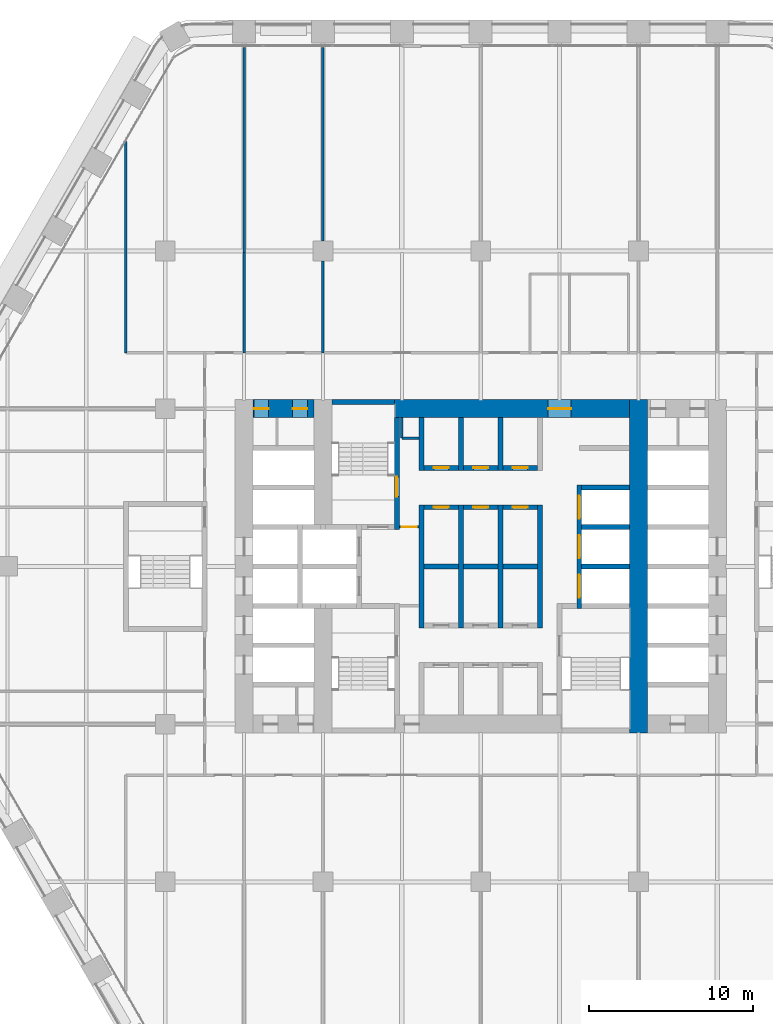
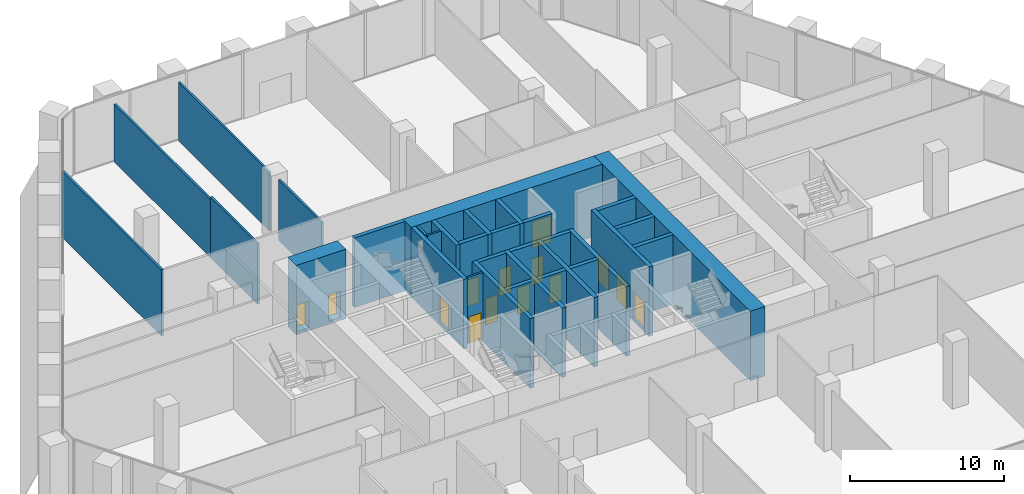
# One storey, part 20 of 27: 33 walls, 14 doors, 14 openings.
"""IFC4 building model written with IfcOpenShell, lengths in metres."""

from ifc_helpers import new_model, si_unit, direction, frame, frame_2d, origin, place, context, subcontext, project, spatial, rectangle, extrude, material, layer, layer_set, type_object, element, fill, save


model = new_model("IFC4")

# Units and contexts
model_context = context("Model", 3, precision=1e-05, world=origin(), true_north=direction((0.0, 1.0)))
body_context = subcontext(model_context, "Body", "Model", "MODEL_VIEW")
ifc_project = project(units=[si_unit("LENGTHUNIT", "METRE"), si_unit("AREAUNIT", "SQUARE_METRE"), si_unit("VOLUMEUNIT", "CUBIC_METRE"), si_unit("PLANEANGLEUNIT", "RADIAN"), si_unit("MASSUNIT", "GRAM", prefix="KILO")], contexts=[model_context])

# Site, building, storey
site_placement = place(None, origin())
site = spatial("IfcSite", under=ifc_project, at=site_placement, CompositionType="ELEMENT")
building_placement = place(site_placement, origin())
building = spatial("IfcBuilding", under=site, at=building_placement, Name="Kolab Exchange Tower", CompositionType="ELEMENT")
storey_placement = place(building_placement, frame((0.0, 0.0, 27.89990234375)))
storey = spatial("IfcBuildingStorey", under=building, at=storey_placement, Name="L05", CompositionType="ELEMENT", Elevation=27.89990234375)

# Wall, openings, doors
ifc_material_1 = material(Name="Concrete C80/95", Category="concrete")
ifc_layer_1 = layer(ifc_material_1, 1.10009765625)
ifc_layer_set_1 = layer_set([ifc_layer_1], Name="Concrete C80/95")
wall_type_1 = type_object("IfcWallType", Name="CORE WALL 1100 C80/95", PredefinedType="SHEAR", material=ifc_layer_set_1)
wall_1_placement = place(storey_placement, frame((-13.85009765625, 9.60009765625, -0.25), z_axis=(0.0, 0.0, 1.0), x_axis=(1.0, 0.0, 0.0)))
wall_1 = element("IfcWall", 1, at=wall_1_placement, inside=storey, type_object=wall_type_1, Name="wall/L05/core/051", PredefinedType="SHEAR", context=body_context, shape_type="SweptSolid", body=[
    extrude(rectangle(XDim=3.7001953125, YDim=1.10009765625, at=frame_2d((1.85009765625, 0.0))), origin(), (0.0, 0.0, 1.0), 5.5),
])
opening_1_placement = place(wall_1_placement, frame((0.050048828125, 0.0, 0.25)))
opening_1 = element("IfcOpeningElement", 2, at=opening_1_placement, cuts=wall_1, Name="Opening D6-098", PredefinedType="OPENING", context=body_context, shape_type="SweptSolid", body=[
    extrude(rectangle(XDim=0.89990234375, YDim=2.10009765625, at=frame_2d((0.449951171875, 1.050048828125))), frame((0.0, 0.56005859375, 0.0), z_axis=(0.0, -1.0, 0.0), x_axis=(1.0, 0.0, 0.0)), (0.0, 0.0, 1.0), 1.1201171875),
])
opening_2_placement = place(wall_1_placement, frame((2.39990234375, 0.0, 0.25)))
opening_2 = element("IfcOpeningElement", 3, at=opening_2_placement, cuts=wall_1, Name="Opening D6-099", PredefinedType="OPENING", context=body_context, shape_type="SweptSolid", body=[
    extrude(rectangle(XDim=0.89990234375, YDim=2.10009765625, at=frame_2d((0.449951171875, 1.050048828125))), frame((0.0, 0.56005859375, 0.0), z_axis=(0.0, -1.0, 0.0), x_axis=(1.0, 0.0, 0.0)), (0.0, 0.0, 1.0), 1.1201171875),
])
ifc_material_2 = material(Name="Steel S235", Category="steel")
door_type_1 = type_object("IfcDoorType", Name="CORE DOOR 900 EI 120", OperationType="SINGLE_SWING_LEFT", PredefinedType="DOOR", material=ifc_material_2)
door_1_placement = place(opening_1_placement, frame((0.89990234375, 0.0, 0.0), z_axis=(0.0, 0.0, 1.0), x_axis=(-1.0, 0.0, 0.0)))
door_1 = element("IfcDoor", 4, at=door_1_placement, inside=storey, type_object=door_type_1, Name="Service room door", OperationType="SINGLE_SWING_RIGHT", OverallHeight=2.10009765625, OverallWidth=0.89990234375, PredefinedType="DOOR", context=body_context, shape_type="SweptSolid", body=[
    extrude(rectangle(XDim=0.89990234375, YDim=2.10009765625, at=frame_2d((0.449951171875, 1.050048828125))), frame((0.0, 0.02490234375, 0.0), z_axis=(0.0, -1.0, 0.0), x_axis=(1.0, 0.0, 0.0)), (0.0, 0.0, 1.0), 0.050048828125),
])
fill(opening_1, door_1)
door_2_placement = place(opening_2_placement, frame((0.89990234375, 0.0, 0.0), z_axis=(0.0, 0.0, 1.0), x_axis=(-1.0, 0.0, 0.0)))
door_2 = element("IfcDoor", 5, at=door_2_placement, inside=storey, type_object=door_type_1, Name="Service room door", OperationType="SINGLE_SWING_LEFT", OverallHeight=2.10009765625, OverallWidth=0.89990234375, PredefinedType="DOOR", context=body_context, shape_type="SweptSolid", body=[
    extrude(rectangle(XDim=0.89990234375, YDim=2.10009765625, at=frame_2d((0.449951171875, 1.050048828125))), frame((0.0, 0.02490234375, 0.0), z_axis=(0.0, -1.0, 0.0), x_axis=(1.0, 0.0, 0.0)), (0.0, 0.0, 1.0), 0.050048828125),
])
fill(opening_2, door_2)

# Wall, opening, door
wall_2_placement = place(storey_placement, frame((-5.25, 9.60009765625, -0.25), z_axis=(0.0, 0.0, 1.0), x_axis=(1.0, 0.0, 0.0)))
wall_2 = element("IfcWall", 6, at=wall_2_placement, inside=storey, type_object=wall_type_1, Name="wall/L05/core/052", PredefinedType="SHEAR", context=body_context, shape_type="SweptSolid", body=[
    extrude(rectangle(XDim=14.300048828125, YDim=1.10009765625, at=frame_2d((7.14990234375, 0.0))), origin(), (0.0, 0.0, 1.0), 5.5),
])
opening_3_placement = place(wall_2_placement, frame((9.35009765625, 0.0, 0.25)))
opening_3 = element("IfcOpeningElement", 7, at=opening_3_placement, cuts=wall_2, Name="Opening D5-005", PredefinedType="OPENING", context=body_context, shape_type="SweptSolid", body=[
    extrude(rectangle(XDim=1.39990234375, YDim=2.10009765625, at=frame_2d((0.699951171875, 1.050048828125))), frame((0.0, 0.56005859375, 0.0), z_axis=(0.0, -1.0, 0.0), x_axis=(1.0, 0.0, 0.0)), (0.0, 0.0, 1.0), 1.1201171875),
])
door_type_2 = type_object("IfcDoorType", Name="CORE DOOR 1400 EI 120", OperationType="DOUBLE_DOOR_SINGLE_SWING", PredefinedType="DOOR", material=ifc_material_2)
door_3_placement = place(opening_3_placement, frame((1.39990234375, 0.0, 0.0), z_axis=(0.0, 0.0, 1.0), x_axis=(-1.0, 0.0, 0.0)))
door_3 = element("IfcDoor", 8, at=door_3_placement, inside=storey, type_object=door_type_2, Name="Core lobby door", OperationType="SINGLE_SWING_LEFT", OverallHeight=2.10009765625, OverallWidth=1.39990234375, PredefinedType="DOOR", context=body_context, shape_type="SweptSolid", body=[
    extrude(rectangle(XDim=1.39990234375, YDim=2.10009765625, at=frame_2d((0.699951171875, 1.050048828125))), frame((0.0, 0.02490234375, 0.0), z_axis=(0.0, -1.0, 0.0), x_axis=(1.0, 0.0, 0.0)), (0.0, 0.0, 1.0), 0.050048828125),
])
fill(opening_3, door_3)

# Walls
wall_3_placement = place(storey_placement, frame((9.60009765625, -10.14990234375, -0.25), z_axis=(0.0, 0.0, 1.0), x_axis=(0.0, 1.0, 0.0)))
element("IfcWall", 9, at=wall_3_placement, inside=storey, type_object=wall_type_1, Name="wall/L05/core/080", PredefinedType="SHEAR", context=body_context, shape_type="SweptSolid", body=[
    extrude(rectangle(XDim=20.2998046875, YDim=1.10009765625, at=frame_2d((10.14990234375, 0.0))), origin(), (0.0, 0.0, 1.0), 5.5),
])
ifc_material_3 = material(Name="Concrete C50/60", Category="concrete")
ifc_layer_2 = layer(ifc_material_3, 0.300048828125)
ifc_layer_set_2 = layer_set([ifc_layer_2], Name="Concrete C50/60")
wall_type_2 = type_object("IfcWallType", Name="LIFT SHAFT WALL 300 C50/60", PredefinedType="STANDARD", material=ifc_layer_set_2)
wall_4_placement = place(storey_placement, frame((-3.449951171875, 0.0, -0.25), z_axis=(0.0, 0.0, 1.0), x_axis=(1.0, 0.0, 0.0)))
element("IfcWall", 10, at=wall_4_placement, inside=storey, type_object=wall_type_2, Name="wall/L05/core/026", PredefinedType="STANDARD", context=body_context, shape_type="SweptSolid", body=[
    extrude(rectangle(XDim=2.099853515625, YDim=0.300048828125, at=frame_2d((1.0498046875, 0.0))), origin(), (0.0, 0.0, 1.0), 5.5),
])
wall_5_placement = place(storey_placement, frame((-1.050048828125, 0.0, -0.25), z_axis=(0.0, 0.0, 1.0), x_axis=(1.0, 0.0, 0.0)))
element("IfcWall", 11, at=wall_5_placement, inside=storey, type_object=wall_type_2, Name="wall/L05/core/027", PredefinedType="STANDARD", context=body_context, shape_type="SweptSolid", body=[
    extrude(rectangle(XDim=2.10009765625, YDim=0.300048828125, at=frame_2d((1.050048828125, 0.0))), origin(), (0.0, 0.0, 1.0), 5.5),
])
wall_6_placement = place(storey_placement, frame((1.35009765625, 0.0, -0.25), z_axis=(0.0, 0.0, 1.0), x_axis=(1.0, 0.0, 0.0)))
element("IfcWall", 12, at=wall_6_placement, inside=storey, type_object=wall_type_2, Name="wall/L05/core/028", PredefinedType="STANDARD", context=body_context, shape_type="SweptSolid", body=[
    extrude(rectangle(XDim=2.099853515625, YDim=0.300048828125, at=frame_2d((1.0498046875, 0.0))), origin(), (0.0, 0.0, 1.0), 5.5),
])
for number, where, z_axis, x_axis, name in (
    (13, (6.14990234375, 0.0, -0.25), (0.0, 0.0, 1.0), (1.0, 0.0, 0.0), "wall/L05/core/029"),
    (14, (6.14990234375, 2.39990234375, -0.25), (0.0, 0.0, 1.0), (1.0, 0.0, 0.0), "wall/L05/core/035"),
):
    element("IfcWall", number, at=place(storey_placement, frame(where, z_axis=z_axis, x_axis=x_axis)), inside=storey, type_object=wall_type_2, Name=name, PredefinedType="STANDARD", context=body_context, shape_type="SweptSolid", body=[
        extrude(rectangle(XDim=2.900146484375, YDim=0.300048828125, at=frame_2d((1.4501953125, 0.0))), origin(), (0.0, 0.0, 1.0), 5.5),
    ])

# Wall, opening, door
wall_7_placement = place(storey_placement, frame((-3.449951171875, 3.60009765625, -0.25), z_axis=(0.0, 0.0, 1.0), x_axis=(1.0, 0.0, 0.0)))
wall_7 = element("IfcWall", 15, at=wall_7_placement, inside=storey, type_object=wall_type_2, Name="wall/L05/core/037", PredefinedType="STANDARD", context=body_context, shape_type="SweptSolid", body=[
    extrude(rectangle(XDim=2.099853515625, YDim=0.300048828125, at=frame_2d((1.0498046875, 0.0))), origin(), (0.0, 0.0, 1.0), 5.5),
])
opening_4_placement = place(wall_7_placement, frame((0.60009765625, 0.0, 0.25)))
opening_4 = element("IfcOpeningElement", 16, at=opening_4_placement, cuts=wall_7, Name="Opening D6-089", PredefinedType="OPENING", context=body_context, shape_type="SweptSolid", body=[
    extrude(rectangle(XDim=0.89990234375, YDim=2.10009765625, at=frame_2d((0.449951171875, 1.050048828125))), frame((0.0, 0.16015625, 0.0), z_axis=(0.0, -1.0, 0.0), x_axis=(1.0, 0.0, 0.0)), (0.0, 0.0, 1.0), 0.320068359375),
])
door_4_placement = place(opening_4_placement, frame((0.89990234375, 0.0, 0.0), z_axis=(0.0, 0.0, 1.0), x_axis=(-1.0, 0.0, 0.0)))
door_4 = element("IfcDoor", 17, at=door_4_placement, inside=storey, type_object=door_type_1, Name="Service room door", OperationType="SINGLE_SWING_LEFT", OverallHeight=2.10009765625, OverallWidth=0.89990234375, PredefinedType="DOOR", context=body_context, shape_type="SweptSolid", body=[
    extrude(rectangle(XDim=0.89990234375, YDim=2.10009765625, at=frame_2d((0.449951171875, 1.050048828125))), frame((0.0, 0.02490234375, 0.0), z_axis=(0.0, -1.0, 0.0), x_axis=(1.0, 0.0, 0.0)), (0.0, 0.0, 1.0), 0.050048828125),
])
fill(opening_4, door_4)

wall_8_placement = place(storey_placement, frame((-1.050048828125, 3.60009765625, -0.25), z_axis=(0.0, 0.0, 1.0), x_axis=(1.0, 0.0, 0.0)))
wall_8 = element("IfcWall", 18, at=wall_8_placement, inside=storey, type_object=wall_type_2, Name="wall/L05/core/038", PredefinedType="STANDARD", context=body_context, shape_type="SweptSolid", body=[
    extrude(rectangle(XDim=2.10009765625, YDim=0.300048828125, at=frame_2d((1.050048828125, 0.0))), origin(), (0.0, 0.0, 1.0), 5.5),
])
opening_5_placement = place(wall_8_placement, frame((0.60009765625, 0.0, 0.25)))
opening_5 = element("IfcOpeningElement", 19, at=opening_5_placement, cuts=wall_8, Name="Opening D6-088", PredefinedType="OPENING", context=body_context, shape_type="SweptSolid", body=[
    extrude(rectangle(XDim=0.89990234375, YDim=2.10009765625, at=frame_2d((0.449951171875, 1.050048828125))), frame((0.0, 0.16015625, 0.0), z_axis=(0.0, -1.0, 0.0), x_axis=(1.0, 0.0, 0.0)), (0.0, 0.0, 1.0), 0.320068359375),
])
door_5_placement = place(opening_5_placement, frame((0.89990234375, 0.0, 0.0), z_axis=(0.0, 0.0, 1.0), x_axis=(-1.0, 0.0, 0.0)))
door_5 = element("IfcDoor", 20, at=door_5_placement, inside=storey, type_object=door_type_1, Name="Service room door", OperationType="SINGLE_SWING_LEFT", OverallHeight=2.10009765625, OverallWidth=0.89990234375, PredefinedType="DOOR", context=body_context, shape_type="SweptSolid", body=[
    extrude(rectangle(XDim=0.89990234375, YDim=2.10009765625, at=frame_2d((0.449951171875, 1.050048828125))), frame((0.0, 0.02490234375, 0.0), z_axis=(0.0, -1.0, 0.0), x_axis=(1.0, 0.0, 0.0)), (0.0, 0.0, 1.0), 0.050048828125),
])
fill(opening_5, door_5)

wall_9_placement = place(storey_placement, frame((1.35009765625, 3.60009765625, -0.25), z_axis=(0.0, 0.0, 1.0), x_axis=(1.0, 0.0, 0.0)))
wall_9 = element("IfcWall", 21, at=wall_9_placement, inside=storey, type_object=wall_type_2, Name="wall/L05/core/039", PredefinedType="STANDARD", context=body_context, shape_type="SweptSolid", body=[
    extrude(rectangle(XDim=2.099853515625, YDim=0.300048828125, at=frame_2d((1.0498046875, 0.0))), origin(), (0.0, 0.0, 1.0), 5.5),
])
opening_6_placement = place(wall_9_placement, frame((0.60009765625, 0.0, 0.25)))
opening_6 = element("IfcOpeningElement", 22, at=opening_6_placement, cuts=wall_9, Name="Opening D6-087", PredefinedType="OPENING", context=body_context, shape_type="SweptSolid", body=[
    extrude(rectangle(XDim=0.89990234375, YDim=2.10009765625, at=frame_2d((0.449951171875, 1.050048828125))), frame((0.0, 0.16015625, 0.0), z_axis=(0.0, -1.0, 0.0), x_axis=(1.0, 0.0, 0.0)), (0.0, 0.0, 1.0), 0.320068359375),
])
door_6_placement = place(opening_6_placement, frame((0.89990234375, 0.0, 0.0), z_axis=(0.0, 0.0, 1.0), x_axis=(-1.0, 0.0, 0.0)))
door_6 = element("IfcDoor", 23, at=door_6_placement, inside=storey, type_object=door_type_1, Name="Service room door", OperationType="SINGLE_SWING_RIGHT", OverallHeight=2.10009765625, OverallWidth=0.89990234375, PredefinedType="DOOR", context=body_context, shape_type="SweptSolid", body=[
    extrude(rectangle(XDim=0.89990234375, YDim=2.10009765625, at=frame_2d((0.449951171875, 1.050048828125))), frame((0.0, 0.02490234375, 0.0), z_axis=(0.0, -1.0, 0.0), x_axis=(1.0, 0.0, 0.0)), (0.0, 0.0, 1.0), 0.050048828125),
])
fill(opening_6, door_6)

# Wall
wall_10_placement = place(storey_placement, frame((6.14990234375, 4.800048828125, -0.25), z_axis=(0.0, 0.0, 1.0), x_axis=(1.0, 0.0, 0.0)))
element("IfcWall", 24, at=wall_10_placement, inside=storey, type_object=wall_type_2, Name="wall/L05/core/043", PredefinedType="STANDARD", context=body_context, shape_type="SweptSolid", body=[
    extrude(rectangle(XDim=2.900146484375, YDim=0.300048828125, at=frame_2d((1.4501953125, 0.0))), origin(), (0.0, 0.0, 1.0), 5.5),
])

# Wall, opening, door
wall_11_placement = place(storey_placement, frame((-3.449951171875, 6.0, -0.25), z_axis=(0.0, 0.0, 1.0), x_axis=(1.0, 0.0, 0.0)))
wall_11 = element("IfcWall", 25, at=wall_11_placement, inside=storey, type_object=wall_type_2, Name="wall/L05/core/045", PredefinedType="STANDARD", context=body_context, shape_type="SweptSolid", body=[
    extrude(rectangle(XDim=2.099853515625, YDim=0.300048828125, at=frame_2d((1.0498046875, 0.0))), origin(), (0.0, 0.0, 1.0), 5.5),
])
opening_7_placement = place(wall_11_placement, frame((0.60009765625, 0.0, 0.25)))
opening_7 = element("IfcOpeningElement", 26, at=opening_7_placement, cuts=wall_11, Name="Opening D6-086", PredefinedType="OPENING", context=body_context, shape_type="SweptSolid", body=[
    extrude(rectangle(XDim=0.89990234375, YDim=2.10009765625, at=frame_2d((0.449951171875, 1.050048828125))), frame((0.0, 0.16015625, 0.0), z_axis=(0.0, -1.0, 0.0), x_axis=(1.0, 0.0, 0.0)), (0.0, 0.0, 1.0), 0.320068359375),
])
door_7_placement = place(opening_7_placement, origin())
door_7 = element("IfcDoor", 27, at=door_7_placement, inside=storey, type_object=door_type_1, Name="Service room door", OperationType="SINGLE_SWING_LEFT", OverallHeight=2.10009765625, OverallWidth=0.89990234375, PredefinedType="DOOR", context=body_context, shape_type="SweptSolid", body=[
    extrude(rectangle(XDim=0.89990234375, YDim=2.10009765625, at=frame_2d((0.449951171875, 1.050048828125))), frame((0.0, 0.02490234375, 0.0), z_axis=(0.0, -1.0, 0.0), x_axis=(1.0, 0.0, 0.0)), (0.0, 0.0, 1.0), 0.050048828125),
])
fill(opening_7, door_7)

wall_12_placement = place(storey_placement, frame((-1.050048828125, 6.0, -0.25), z_axis=(0.0, 0.0, 1.0), x_axis=(1.0, 0.0, 0.0)))
wall_12 = element("IfcWall", 28, at=wall_12_placement, inside=storey, type_object=wall_type_2, Name="wall/L05/core/046", PredefinedType="STANDARD", context=body_context, shape_type="SweptSolid", body=[
    extrude(rectangle(XDim=2.10009765625, YDim=0.300048828125, at=frame_2d((1.050048828125, 0.0))), origin(), (0.0, 0.0, 1.0), 5.5),
])
opening_8_placement = place(wall_12_placement, frame((0.60009765625, 0.0, 0.25)))
opening_8 = element("IfcOpeningElement", 29, at=opening_8_placement, cuts=wall_12, Name="Opening D6-085", PredefinedType="OPENING", context=body_context, shape_type="SweptSolid", body=[
    extrude(rectangle(XDim=0.89990234375, YDim=2.10009765625, at=frame_2d((0.449951171875, 1.050048828125))), frame((0.0, 0.16015625, 0.0), z_axis=(0.0, -1.0, 0.0), x_axis=(1.0, 0.0, 0.0)), (0.0, 0.0, 1.0), 0.320068359375),
])
door_8_placement = place(opening_8_placement, origin())
door_8 = element("IfcDoor", 30, at=door_8_placement, inside=storey, type_object=door_type_1, Name="Service room door", OperationType="SINGLE_SWING_RIGHT", OverallHeight=2.10009765625, OverallWidth=0.89990234375, PredefinedType="DOOR", context=body_context, shape_type="SweptSolid", body=[
    extrude(rectangle(XDim=0.89990234375, YDim=2.10009765625, at=frame_2d((0.449951171875, 1.050048828125))), frame((0.0, 0.02490234375, 0.0), z_axis=(0.0, -1.0, 0.0), x_axis=(1.0, 0.0, 0.0)), (0.0, 0.0, 1.0), 0.050048828125),
])
fill(opening_8, door_8)

wall_13_placement = place(storey_placement, frame((1.35009765625, 6.0, -0.25), z_axis=(0.0, 0.0, 1.0), x_axis=(1.0, 0.0, 0.0)))
wall_13 = element("IfcWall", 31, at=wall_13_placement, inside=storey, type_object=wall_type_2, Name="wall/L05/core/047", PredefinedType="STANDARD", context=body_context, shape_type="SweptSolid", body=[
    extrude(rectangle(XDim=2.099853515625, YDim=0.300048828125, at=frame_2d((1.0498046875, 0.0))), origin(), (0.0, 0.0, 1.0), 5.5),
])
opening_9_placement = place(wall_13_placement, frame((0.60009765625, 0.0, 0.25)))
opening_9 = element("IfcOpeningElement", 32, at=opening_9_placement, cuts=wall_13, Name="Opening D6-084", PredefinedType="OPENING", context=body_context, shape_type="SweptSolid", body=[
    extrude(rectangle(XDim=0.89990234375, YDim=2.10009765625, at=frame_2d((0.449951171875, 1.050048828125))), frame((0.0, 0.16015625, 0.0), z_axis=(0.0, -1.0, 0.0), x_axis=(1.0, 0.0, 0.0)), (0.0, 0.0, 1.0), 0.320068359375),
])
door_9_placement = place(opening_9_placement, origin())
door_9 = element("IfcDoor", 33, at=door_9_placement, inside=storey, type_object=door_type_1, Name="Service room door", OperationType="SINGLE_SWING_RIGHT", OverallHeight=2.10009765625, OverallWidth=0.89990234375, PredefinedType="DOOR", context=body_context, shape_type="SweptSolid", body=[
    extrude(rectangle(XDim=0.89990234375, YDim=2.10009765625, at=frame_2d((0.449951171875, 1.050048828125))), frame((0.0, 0.02490234375, 0.0), z_axis=(0.0, -1.0, 0.0), x_axis=(1.0, 0.0, 0.0)), (0.0, 0.0, 1.0), 0.050048828125),
])
fill(opening_9, door_9)

# Walls
wall_14_placement = place(storey_placement, frame((-3.60009765625, -3.75, -0.25), z_axis=(0.0, 0.0, 1.0), x_axis=(0.0, 1.0, 0.0)))
element("IfcWall", 34, at=wall_14_placement, inside=storey, type_object=wall_type_2, Name="wall/L05/core/067", PredefinedType="STANDARD", context=body_context, shape_type="SweptSolid", body=[
    extrude(rectangle(XDim=7.5, YDim=0.300048828125, at=frame_2d((3.75, 0.0))), origin(), (0.0, 0.0, 1.0), 5.5),
])
wall_15_placement = place(storey_placement, frame((-3.60009765625, 5.85009765625, -0.25), z_axis=(0.0, 0.0, 1.0), x_axis=(0.0, 1.0, 0.0)))
element("IfcWall", 35, at=wall_15_placement, inside=storey, type_object=wall_type_2, Name="wall/L05/core/068", PredefinedType="STANDARD", context=body_context, shape_type="SweptSolid", body=[
    extrude(rectangle(XDim=3.199951171875, YDim=0.300048828125, at=frame_2d((1.60009765625, 0.0))), origin(), (0.0, 0.0, 1.0), 5.5),
])
wall_16_placement = place(storey_placement, frame((-1.199951171875, -3.75, -0.25), z_axis=(0.0, 0.0, 1.0), x_axis=(0.0, 1.0, 0.0)))
element("IfcWall", 36, at=wall_16_placement, inside=storey, type_object=wall_type_2, Name="wall/L05/core/070", PredefinedType="STANDARD", context=body_context, shape_type="SweptSolid", body=[
    extrude(rectangle(XDim=7.5, YDim=0.300048828125, at=frame_2d((3.75, 0.0))), origin(), (0.0, 0.0, 1.0), 5.5),
])
wall_17_placement = place(storey_placement, frame((-1.199951171875, 5.85009765625, -0.25), z_axis=(0.0, 0.0, 1.0), x_axis=(0.0, 1.0, 0.0)))
element("IfcWall", 37, at=wall_17_placement, inside=storey, type_object=wall_type_2, Name="wall/L05/core/071", PredefinedType="STANDARD", context=body_context, shape_type="SweptSolid", body=[
    extrude(rectangle(XDim=3.199951171875, YDim=0.300048828125, at=frame_2d((1.60009765625, 0.0))), origin(), (0.0, 0.0, 1.0), 5.5),
])
wall_18_placement = place(storey_placement, frame((1.199951171875, -3.75, -0.25), z_axis=(0.0, 0.0, 1.0), x_axis=(0.0, 1.0, 0.0)))
element("IfcWall", 38, at=wall_18_placement, inside=storey, type_object=wall_type_2, Name="wall/L05/core/073", PredefinedType="STANDARD", context=body_context, shape_type="SweptSolid", body=[
    extrude(rectangle(XDim=7.5, YDim=0.300048828125, at=frame_2d((3.75, 0.0))), origin(), (0.0, 0.0, 1.0), 5.5),
])
wall_19_placement = place(storey_placement, frame((1.199951171875, 5.85009765625, -0.25), z_axis=(0.0, 0.0, 1.0), x_axis=(0.0, 1.0, 0.0)))
element("IfcWall", 39, at=wall_19_placement, inside=storey, type_object=wall_type_2, Name="wall/L05/core/074", PredefinedType="STANDARD", context=body_context, shape_type="SweptSolid", body=[
    extrude(rectangle(XDim=3.199951171875, YDim=0.300048828125, at=frame_2d((1.60009765625, 0.0))), origin(), (0.0, 0.0, 1.0), 5.5),
])
wall_20_placement = place(storey_placement, frame((3.60009765625, -3.75, -0.25), z_axis=(0.0, 0.0, 1.0), x_axis=(0.0, 1.0, 0.0)))
element("IfcWall", 40, at=wall_20_placement, inside=storey, type_object=wall_type_2, Name="wall/L05/core/076", PredefinedType="STANDARD", context=body_context, shape_type="SweptSolid", body=[
    extrude(rectangle(XDim=7.5, YDim=0.300048828125, at=frame_2d((3.75, 0.0))), origin(), (0.0, 0.0, 1.0), 5.5),
])

# Wall, openings, doors
wall_21_placement = place(storey_placement, frame((6.0, -2.550048828125, -0.25), z_axis=(0.0, 0.0, 1.0), x_axis=(0.0, 1.0, 0.0)))
wall_21 = element("IfcWall", 41, at=wall_21_placement, inside=storey, type_object=wall_type_2, Name="wall/L05/core/079", PredefinedType="STANDARD", context=body_context, shape_type="SweptSolid", body=[
    extrude(rectangle(XDim=7.5, YDim=0.300048828125, at=frame_2d((3.75, 0.0))), origin(), (0.0, 0.0, 1.0), 5.5),
])
opening_10_placement = place(wall_21_placement, frame((0.64990234375, 0.0, 0.25)))
opening_10 = element("IfcOpeningElement", 42, at=opening_10_placement, cuts=wall_21, Name="Opening LD3-013", PredefinedType="OPENING", context=body_context, shape_type="SweptSolid", body=[
    extrude(rectangle(XDim=1.39990234375, YDim=2.10009765625, at=frame_2d((0.699951171875, 1.050048828125))), frame((0.0, 0.16015625, 0.0), z_axis=(0.0, -1.0, 0.0), x_axis=(1.0, 0.0, 0.0)), (0.0, 0.0, 1.0), 0.320068359375),
])
opening_11_placement = place(wall_21_placement, frame((3.050048828125, 0.0, 0.25)))
opening_11 = element("IfcOpeningElement", 43, at=opening_11_placement, cuts=wall_21, Name="Opening LD3-014", PredefinedType="OPENING", context=body_context, shape_type="SweptSolid", body=[
    extrude(rectangle(XDim=1.39990234375, YDim=2.10009765625, at=frame_2d((0.699951171875, 1.050048828125))), frame((0.0, 0.16015625, 0.0), z_axis=(0.0, -1.0, 0.0), x_axis=(1.0, 0.0, 0.0)), (0.0, 0.0, 1.0), 0.320068359375),
])
opening_12_placement = place(wall_21_placement, frame((5.449951171875, 0.0, 0.25)))
opening_12 = element("IfcOpeningElement", 44, at=opening_12_placement, cuts=wall_21, Name="Opening LD3-015", PredefinedType="OPENING", context=body_context, shape_type="SweptSolid", body=[
    extrude(rectangle(XDim=1.39990234375, YDim=2.10009765625, at=frame_2d((0.699951171875, 1.050048828125))), frame((0.0, 0.16015625, 0.0), z_axis=(0.0, -1.0, 0.0), x_axis=(1.0, 0.0, 0.0)), (0.0, 0.0, 1.0), 0.320068359375),
])
ifc_material_4 = material(Name="Stainless steel 316", Category="steel")
door_type_3 = type_object("IfcDoorType", Name="LANDING DOOR 1400 SERVICE", OperationType="DOUBLE_DOOR_SLIDING", PredefinedType="DOOR", material=ifc_material_4)
door_10_placement = place(opening_10_placement, origin())
door_10 = element("IfcDoor", 45, at=door_10_placement, inside=storey, type_object=door_type_3, Name="Landing door SV1", OperationType="DOUBLE_DOOR_SLIDING", OverallHeight=2.10009765625, OverallWidth=1.39990234375, PredefinedType="DOOR", context=body_context, shape_type="SweptSolid", body=[
    extrude(rectangle(XDim=1.39990234375, YDim=2.10009765625, at=frame_2d((0.699951171875, 1.050048828125))), frame((0.0, 0.02490234375, 0.0), z_axis=(0.0, -1.0, 0.0), x_axis=(1.0, 0.0, 0.0)), (0.0, 0.0, 1.0), 0.050048828125),
])
fill(opening_10, door_10)
door_11_placement = place(opening_11_placement, origin())
door_11 = element("IfcDoor", 46, at=door_11_placement, inside=storey, type_object=door_type_3, Name="Landing door SV2", OperationType="DOUBLE_DOOR_SLIDING", OverallHeight=2.10009765625, OverallWidth=1.39990234375, PredefinedType="DOOR", context=body_context, shape_type="SweptSolid", body=[
    extrude(rectangle(XDim=1.39990234375, YDim=2.10009765625, at=frame_2d((0.699951171875, 1.050048828125))), frame((0.0, 0.02490234375, 0.0), z_axis=(0.0, -1.0, 0.0), x_axis=(1.0, 0.0, 0.0)), (0.0, 0.0, 1.0), 0.050048828125),
])
fill(opening_11, door_11)
door_12_placement = place(opening_12_placement, origin())
door_12 = element("IfcDoor", 47, at=door_12_placement, inside=storey, type_object=door_type_3, Name="Landing door SV3", OperationType="DOUBLE_DOOR_SLIDING", OverallHeight=2.10009765625, OverallWidth=1.39990234375, PredefinedType="DOOR", context=body_context, shape_type="SweptSolid", body=[
    extrude(rectangle(XDim=1.39990234375, YDim=2.10009765625, at=frame_2d((0.699951171875, 1.050048828125))), frame((0.0, 0.02490234375, 0.0), z_axis=(0.0, -1.0, 0.0), x_axis=(1.0, 0.0, 0.0)), (0.0, 0.0, 1.0), 0.050048828125),
])
fill(opening_12, door_12)

# Walls
ifc_material_5 = material(Name="Gypsum board", Category="gypsum")
ifc_layer_3 = layer(ifc_material_5, 0.14990234375)
ifc_layer_set_3 = layer_set([ifc_layer_3], Name="Gypsum board")
wall_type_3 = type_object("IfcWallType", Name="PARTITION 150 FIRE-RATED", PredefinedType="PARTITIONING", material=ifc_layer_set_3)
wall_22_placement = place(storey_placement, frame((-4.800048828125, 7.800048828125, 0.0), z_axis=(0.0, 0.0, 1.0), x_axis=(0.0, 1.0, 0.0)))
element("IfcWall", 48, at=wall_22_placement, inside=storey, type_object=wall_type_3, Name="Partition 017", PredefinedType="PARTITIONING", context=body_context, shape_type="SweptSolid", body=[
    extrude(rectangle(XDim=1.25, YDim=0.14990234375, at=frame_2d((0.625, 0.0))), origin(), (0.0, 0.0, 1.0), 5.25),
])
wall_23_placement = place(storey_placement, frame((-9.60009765625, 13.0, 0.0), z_axis=(0.0, 0.0, 1.0), x_axis=(0.0, 1.0, 0.0)))
element("IfcWall", 49, at=wall_23_placement, inside=storey, type_object=wall_type_3, Name="Partition 020", PredefinedType="PARTITIONING", context=body_context, shape_type="SweptSolid", body=[
    extrude(rectangle(XDim=5.60009765625, YDim=0.14990234375, at=frame_2d((2.800048828125, 0.0))), origin(), (0.0, 0.0, 1.0), 4.793212890625),
])
wall_24_placement = place(storey_placement, frame((-9.60009765625, 19.800048828125, 0.0), z_axis=(0.0, 0.0, 1.0), x_axis=(0.0, 1.0, 0.0)))
element("IfcWall", 50, at=wall_24_placement, inside=storey, type_object=wall_type_3, Name="Partition 021", PredefinedType="PARTITIONING", context=body_context, shape_type="SweptSolid", body=[
    extrude(rectangle(XDim=11.785400390625, YDim=0.14990234375, at=frame_2d((5.892578125, 0.0))), origin(), (0.0, 0.0, 1.0), 4.64208984375),
])
wall_25_placement = place(storey_placement, frame((-14.39990234375, 19.113037109375, 0.0), z_axis=(0.0, 0.0, 1.0), x_axis=(0.0, 1.0, 0.0)))
element("IfcWall", 51, at=wall_25_placement, inside=storey, type_object=wall_type_3, Name="Partition 025", PredefinedType="PARTITIONING", context=body_context, shape_type="SweptSolid", body=[
    extrude(rectangle(XDim=12.472412109375, YDim=0.14990234375, at=frame_2d((6.236328125, 0.0))), origin(), (0.0, 0.0, 1.0), 4.566162109375),
])
wall_26_placement = place(storey_placement, frame((-14.39990234375, 13.0, 0.0), z_axis=(0.0, 0.0, 1.0), x_axis=(0.0, 1.0, 0.0)))
element("IfcWall", 52, at=wall_26_placement, inside=storey, type_object=wall_type_3, Name="Partition 025", PredefinedType="PARTITIONING", context=body_context, shape_type="SweptSolid", body=[
    extrude(rectangle(XDim=6.113037109375, YDim=0.14990234375, at=frame_2d((3.056640625, 0.0))), origin(), (0.0, 0.0, 1.0), 4.793212890625),
])
wall_27_placement = place(storey_placement, frame((-21.60009765625, 13.0, 0.0), z_axis=(0.0, 0.0, 1.0), x_axis=(0.0, 1.0, 0.0)))
element("IfcWall", 53, at=wall_27_placement, inside=storey, type_object=wall_type_3, Name="Partition 029", PredefinedType="PARTITIONING", context=body_context, shape_type="SweptSolid", body=[
    extrude(rectangle(XDim=12.8583984375, YDim=0.14990234375, at=frame_2d((6.42919921875, 0.0))), origin(), (0.0, 0.0, 1.0), 5.25),
])
wall_28_placement = place(storey_placement, frame((-4.800048828125, 7.800048828125, 0.0), z_axis=(0.0, 0.0, 1.0), x_axis=(1.0, 0.0, 0.0)))
element("IfcWall", 54, at=wall_28_placement, inside=storey, type_object=wall_type_3, Name="Partition 043", PredefinedType="PARTITIONING", context=body_context, shape_type="SweptSolid", body=[
    extrude(rectangle(XDim=1.050048828125, YDim=0.14990234375, at=frame_2d((0.52490234375, 0.0))), origin(), (0.0, 0.0, 1.0), 5.25),
])

# Wall, opening, door
wall_29_placement = place(storey_placement, frame((-4.949951171875, 2.39990234375, 0.0), z_axis=(0.0, 0.0, 1.0), x_axis=(1.0, 0.0, 0.0)))
wall_29 = element("IfcWall", 55, at=wall_29_placement, inside=storey, type_object=wall_type_3, Name="Fire partition", PredefinedType="PARTITIONING", context=body_context, shape_type="SweptSolid", body=[
    extrude(rectangle(XDim=1.199951171875, YDim=0.14990234375, at=frame_2d((0.60009765625, 0.0))), origin(), (0.0, 0.0, 1.0), 5.25),
])
opening_13_placement = place(wall_29_placement, frame((0.14990234375, 0.0, 0.0)))
opening_13 = element("IfcOpeningElement", 56, at=opening_13_placement, cuts=wall_29, Name="Opening D6-097", PredefinedType="OPENING", context=body_context, shape_type="SweptSolid", body=[
    extrude(rectangle(XDim=0.89990234375, YDim=2.10009765625, at=frame_2d((0.449951171875, 1.050048828125))), frame((0.0, 0.0849609375, 0.0), z_axis=(0.0, -1.0, 0.0), x_axis=(1.0, 0.0, 0.0)), (0.0, 0.0, 1.0), 0.169921875),
])
door_13_placement = place(opening_13_placement, frame((0.89990234375, 0.0, 0.0), z_axis=(0.0, 0.0, 1.0), x_axis=(-1.0, 0.0, 0.0)))
door_13 = element("IfcDoor", 57, at=door_13_placement, inside=storey, type_object=door_type_1, Name="Firefighting lobby door", OperationType="SINGLE_SWING_RIGHT", OverallHeight=2.10009765625, OverallWidth=0.89990234375, PredefinedType="DOOR", context=body_context, shape_type="SweptSolid", body=[
    extrude(rectangle(XDim=0.89990234375, YDim=2.10009765625, at=frame_2d((0.449951171875, 1.050048828125))), frame((0.0, 0.02490234375, 0.0), z_axis=(0.0, -1.0, 0.0), x_axis=(1.0, 0.0, 0.0)), (0.0, 0.0, 1.0), 0.050048828125),
])
fill(opening_13, door_13)

# Wall
ifc_layer_4 = layer(ifc_material_3, 0.300048828125)
ifc_layer_set_4 = layer_set([ifc_layer_4], Name="Concrete C50/60")
wall_type_4 = type_object("IfcWallType", Name="STAIR ENCLOSURE WALL 300 C50/60", PredefinedType="STANDARD", material=ifc_layer_set_4)
wall_30_placement = place(storey_placement, frame((-9.050048828125, 10.0, -0.25), z_axis=(0.0, 0.0, 1.0), x_axis=(1.0, 0.0, 0.0)))
element("IfcWall", 58, at=wall_30_placement, inside=storey, type_object=wall_type_4, Name="wall/L05/core/054", PredefinedType="STANDARD", context=body_context, shape_type="SweptSolid", body=[
    extrude(rectangle(XDim=3.800048828125, YDim=0.300048828125, at=frame_2d((1.89990234375, 0.0))), origin(), (0.0, 0.0, 1.0), 5.5),
])

# Wall, opening, door
wall_31_placement = place(storey_placement, frame((-5.10009765625, 2.25, -0.25), z_axis=(0.0, 0.0, 1.0), x_axis=(0.0, 1.0, 0.0)))
wall_31 = element("IfcWall", 59, at=wall_31_placement, inside=storey, type_object=wall_type_4, Name="wall/L05/core/065", PredefinedType="STANDARD", context=body_context, shape_type="SweptSolid", body=[
    extrude(rectangle(XDim=6.800048828125, YDim=0.300048828125, at=frame_2d((3.39990234375, 0.0))), origin(), (0.0, 0.0, 1.0), 5.5),
])
opening_14_placement = place(wall_31_placement, frame((2.0, 0.0, 0.25)))
opening_14 = element("IfcOpeningElement", 60, at=opening_14_placement, cuts=wall_31, Name="Opening D4-020", PredefinedType="OPENING", context=body_context, shape_type="SweptSolid", body=[
    extrude(rectangle(XDim=1.199951171875, YDim=2.10009765625, at=frame_2d((0.60009765625, 1.050048828125))), frame((0.0, 0.16015625, 0.0), z_axis=(0.0, -1.0, 0.0), x_axis=(1.0, 0.0, 0.0)), (0.0, 0.0, 1.0), 0.320068359375),
])
door_type_4 = type_object("IfcDoorType", Name="STAIR DOOR 1200 EI 120", OperationType="SINGLE_SWING_LEFT", PredefinedType="DOOR", material=ifc_material_2)
door_14_placement = place(opening_14_placement, origin())
door_14 = element("IfcDoor", 61, at=door_14_placement, inside=storey, type_object=door_type_4, Name="Stair 1 door", OperationType="SINGLE_SWING_LEFT", OverallHeight=2.10009765625, OverallWidth=1.199951171875, PredefinedType="DOOR", context=body_context, shape_type="SweptSolid", body=[
    extrude(rectangle(XDim=1.199951171875, YDim=2.10009765625, at=frame_2d((0.60009765625, 1.050048828125))), frame((0.0, 0.02490234375, 0.0), z_axis=(0.0, -1.0, 0.0), x_axis=(1.0, 0.0, 0.0)), (0.0, 0.0, 1.0), 0.050048828125),
])
fill(opening_14, door_14)

save(model, "model.ifc")
